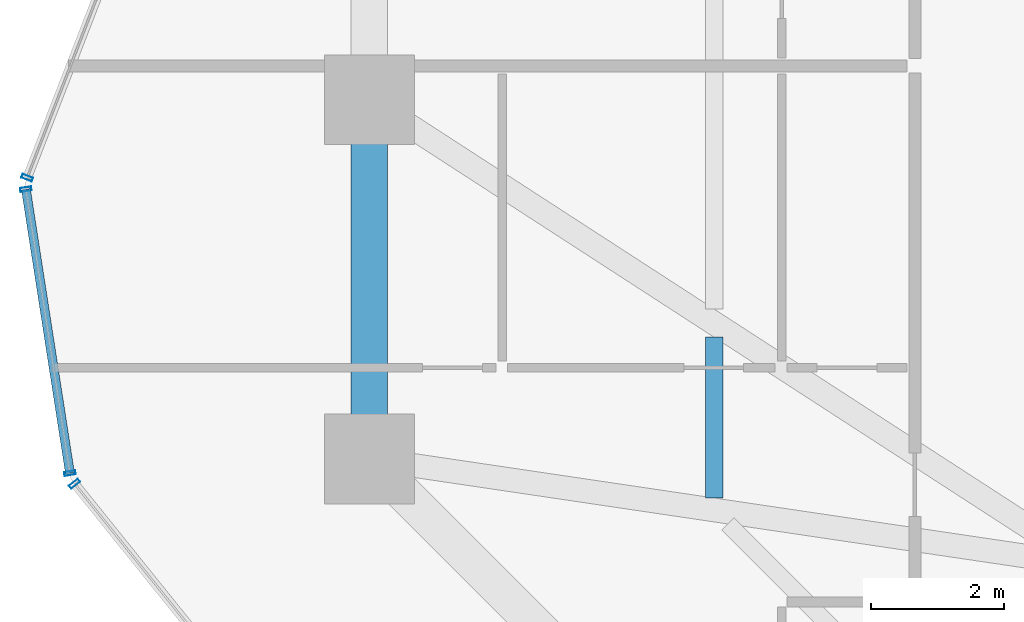
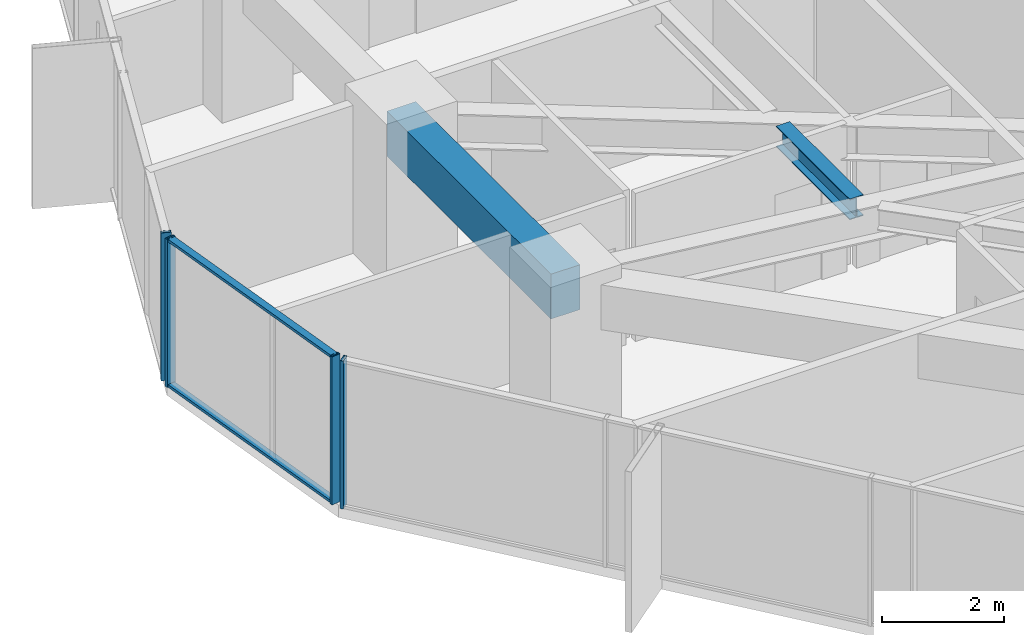
# One storey, part 10 of 37: 6 members, 2 beams, 3 elements without a shape of their own.
"""IFC4 building model written with IfcOpenShell, lengths in metres."""

from ifc_helpers import new_model, si_unit, direction, frame, origin, origin_2d, place, context, subcontext, project, spatial, rectangle, hollow_rectangle, i_section, extrude, source, transform, mapped, material, layer, layer_set, material_profile, profile_set, type_object, element, aggregate, save


model = new_model("IFC4")

# Units and contexts
model_context = context("Model", 3, precision=1e-05, world=origin(), true_north=direction((0.0, 1.0)))
body_context = subcontext(model_context, "Body", "Model", "MODEL_VIEW")
ifc_project = project(units=[si_unit("LENGTHUNIT", "METRE"), si_unit("AREAUNIT", "SQUARE_METRE"), si_unit("VOLUMEUNIT", "CUBIC_METRE"), si_unit("PLANEANGLEUNIT", "RADIAN"), si_unit("MASSUNIT", "GRAM", prefix="KILO")], contexts=[model_context])

# Site, building, storey
site_placement = place(None, origin())
site = spatial("IfcSite", under=ifc_project, at=site_placement, CompositionType="ELEMENT")
building_placement = place(site_placement, origin())
building = spatial("IfcBuilding", under=site, at=building_placement, Name="Veraguas Prism Commons", CompositionType="ELEMENT")
storey_placement = place(building_placement, frame((0.0, 0.0, 53.300048828125)))
storey = spatial("IfcBuildingStorey", under=building, at=storey_placement, Name="L14", CompositionType="ELEMENT", Elevation=53.300048828125)

# Beams
ifc_material_1 = material(Name="Steel ASTM A992 Grade 50", Category="steel")
ifc_material_profile_1 = material_profile(ifc_material_1, i_section(OverallWidth=0.260986328125, OverallDepth=0.419921875, WebThickness=0.01171875, FlangeThickness=0.019287109375, at=origin_2d()), Name="W410X114")
ifc_profile_set_1 = profile_set([ifc_material_profile_1], Name="Steel ASTM A992 Grade 50")
beam_type_1 = type_object("IfcBeamType", Name="Lower Floor Joist W410x114", PredefinedType="JOIST", material=ifc_profile_set_1)
beam_1_placement = place(storey_placement, frame((11.583984375, 20.430419921875, 2.760009765625), z_axis=(0.0, -1.0, 0.0), x_axis=(1.0, 0.0, 0.0)))
element("IfcBeam", 1, at=beam_1_placement, inside=storey, type_object=beam_type_1, Name="Composite Floor Joist L14-JS08", PredefinedType="JOIST", context=body_context, shape_type="SweptSolid", body=[
    extrude(i_section(OverallWidth=0.260986328125, OverallDepth=0.419921875, WebThickness=0.01171875, FlangeThickness=0.019287109375, at=origin_2d()), origin(), (0.0, 0.0, 1.0), 2.42041015625),
])
ifc_material_2 = material(Name="Concrete C50/60", Category="concrete")
ifc_material_profile_2 = material_profile(ifc_material_2, rectangle(XDim=0.550048828125, YDim=0.89990234375, at=origin_2d()), Name="RC550X900")
ifc_profile_set_2 = profile_set([ifc_material_profile_2], Name="Concrete C50/60")
beam_type_2 = type_object("IfcBeamType", Name="Perimeter Spandrel Lower RC 550x900", PredefinedType="SPANDREL", material=ifc_profile_set_2)
beam_2_placement = place(storey_placement, frame((6.39990234375, 24.0, 2.52001953125), z_axis=(0.0, -1.0, 0.0), x_axis=(1.0, 0.0, 0.0)))
element("IfcBeam", 2, at=beam_2_placement, inside=storey, type_object=beam_type_2, Name="Perimeter Spandrel Beam L14-SP08", PredefinedType="SPANDREL", context=body_context, shape_type="SweptSolid", body=[
    extrude(rectangle(XDim=0.550048828125, YDim=0.89990234375, at=origin_2d()), origin(), (0.0, 0.0, 1.0), 5.39990234375),
])

# Curtain wall, members
ifc_material_3 = material(Name="Anodised aluminium EN AW-6063 T6", Category="aluminium")
ifc_layer = layer(ifc_material_3, 0.169921875, Name="Unitised Flush Curtain Wall Zone 1", Category="aluminium")
ifc_layer_set = layer_set([ifc_layer], Name="Anodised aluminium EN AW-6063 T6")
curtain_wall_type = type_object("IfcCurtainWallType", Name="Unitised Flush Curtain Wall Zone 1", PredefinedType="NOTDEFINED", material=ifc_layer_set)
curtain_wall_1_placement = place(storey_placement, origin())
curtain_wall_1 = element("IfcCurtainWall", 3, at=curtain_wall_1_placement, inside=storey, type_object=curtain_wall_type, Name="Chamfer Curtain Wall L14-C4", PredefinedType="NOTDEFINED")
ifc_material_profile_3 = material_profile(ifc_material_3, hollow_rectangle(XDim=0.054931640625, YDim=0.135009765625, WallThickness=0.0029296875, at=origin_2d()), Name="AL55X135X3")
ifc_profile_set_3 = profile_set([ifc_material_profile_3], Name="Anodised aluminium EN AW-6063 T6")
member_type_1 = type_object("IfcMemberType", Name="Curtain Wall Transom Standard AL 55x135x3", PredefinedType="USERDEFINED", material=ifc_profile_set_3)
shared_shape_1 = source(origin(), body_context, "Body", "SweptSolid", [
    extrude(hollow_rectangle(XDim=0.054931640625, YDim=0.135009765625, WallThickness=0.0029296875, at=origin_2d()), origin(), (0.0, 0.0, 1.0), 4.31982421875),
])
member_1_placement = place(storey_placement, frame((1.236328125, 22.653564453125, 0.02734375), z_axis=(0.153326863361, -0.98817552741, 0.0), x_axis=(0.0, 0.0, 1.0)))
member_1 = element("IfcMember", 4, at=member_1_placement, type_object=member_type_1, Name="CW-Z1 Transom 1", ObjectType="TRANSOM", PredefinedType="USERDEFINED", context=body_context, shape_type="MappedRepresentation", body=[
    mapped(shared_shape_1, transform((0.0, 0.0, 0.0), scale=1.0)),
])
member_2_placement = place(storey_placement, frame((1.236328125, 22.653564453125, 2.9423828125), z_axis=(0.153326863361, -0.98817552741, 0.0), x_axis=(0.0, 0.0, 1.0)))
member_2 = element("IfcMember", 5, at=member_2_placement, type_object=member_type_1, Name="CW-Z1 Transom 2", ObjectType="TRANSOM", PredefinedType="USERDEFINED", context=body_context, shape_type="MappedRepresentation", body=[
    mapped(shared_shape_1, transform((0.0, 0.0, 0.0), scale=1.0)),
])

# Curtain wall, member
curtain_wall_2_placement = place(storey_placement, origin())
curtain_wall_2 = element("IfcCurtainWall", 6, at=curtain_wall_2_placement, inside=storey, type_object=curtain_wall_type, Name="Tower Facade Curtain Wall L14-F3", PredefinedType="NOTDEFINED")
ifc_material_profile_4 = material_profile(ifc_material_3, hollow_rectangle(XDim=0.06005859375, YDim=0.169921875, WallThickness=0.00390625, at=origin_2d()), Name="AL60X170X4")
ifc_profile_set_4 = profile_set([ifc_material_profile_4], Name="Anodised aluminium EN AW-6063 T6")
member_type_2 = type_object("IfcMemberType", Name="Curtain Wall Mullion Lower AL 60x170x4", PredefinedType="MULLION", material=ifc_profile_set_4)
shared_shape_2 = source(origin(), body_context, "Body", "SweptSolid", [
    extrude(hollow_rectangle(XDim=0.06005859375, YDim=0.169921875, WallThickness=0.00390625, at=origin_2d()), origin(), (0.0, 0.0, 1.0), 2.969970703125),
])
member_3_placement = place(storey_placement, frame((1.255126953125, 22.826416015625, 0.0), z_axis=(0.0, 0.0, 1.0), x_axis=(-0.361294223355, -0.932451866946, 0.0)))
member_3 = element("IfcMember", 7, at=member_3_placement, type_object=member_type_2, Name="CW-Z1 Mullion 5", PredefinedType="MULLION", context=body_context, shape_type="MappedRepresentation", body=[
    mapped(shared_shape_2, transform((0.0, 0.0, 0.0), scale=1.0)),
])
aggregate(curtain_wall_2, [member_3])

curtain_wall_3_placement = place(storey_placement, origin())
curtain_wall_3 = element("IfcCurtainWall", 8, at=curtain_wall_3_placement, inside=storey, type_object=curtain_wall_type, Name="Tower Facade Curtain Wall L14-F4", PredefinedType="NOTDEFINED")
member_4_placement = place(storey_placement, frame((1.968994140625, 18.225830078125, 0.0), z_axis=(0.0, 0.0, 1.0), x_axis=(0.626873093811, -0.779121379668, 0.0)))
member_4 = element("IfcMember", 9, at=member_4_placement, type_object=member_type_2, Name="CW-Z1 Mullion 1", PredefinedType="MULLION", context=body_context, shape_type="MappedRepresentation", body=[
    mapped(shared_shape_2, transform((0.0, 0.0, 0.0), scale=1.0)),
])
aggregate(curtain_wall_3, [member_4])

# Member
member_5_placement = place(storey_placement, frame((1.236328125, 22.653564453125, 0.0), z_axis=(0.0, 0.0, 1.0), x_axis=(0.153337682496, -0.988173848635, 0.0)))
member_5 = element("IfcMember", 10, at=member_5_placement, type_object=member_type_2, Name="CW-Z1 Mullion 1", PredefinedType="MULLION", context=body_context, shape_type="MappedRepresentation", body=[
    mapped(shared_shape_2, transform((0.0, 0.0, 0.0), scale=1.0)),
])

member_6_placement = place(storey_placement, frame((1.898681640625, 18.384765625, 0.0), z_axis=(0.0, 0.0, 1.0), x_axis=(0.153337682496, -0.988173848635, 0.0)))
member_6 = element("IfcMember", 11, at=member_6_placement, type_object=member_type_2, Name="CW-Z1 Mullion 2", PredefinedType="MULLION", context=body_context, shape_type="MappedRepresentation", body=[
    mapped(shared_shape_2, transform((0.0, 0.0, 0.0), scale=1.0)),
])

aggregate(curtain_wall_1, [member_5, member_6, member_1, member_2])

save(model, "model.ifc")
